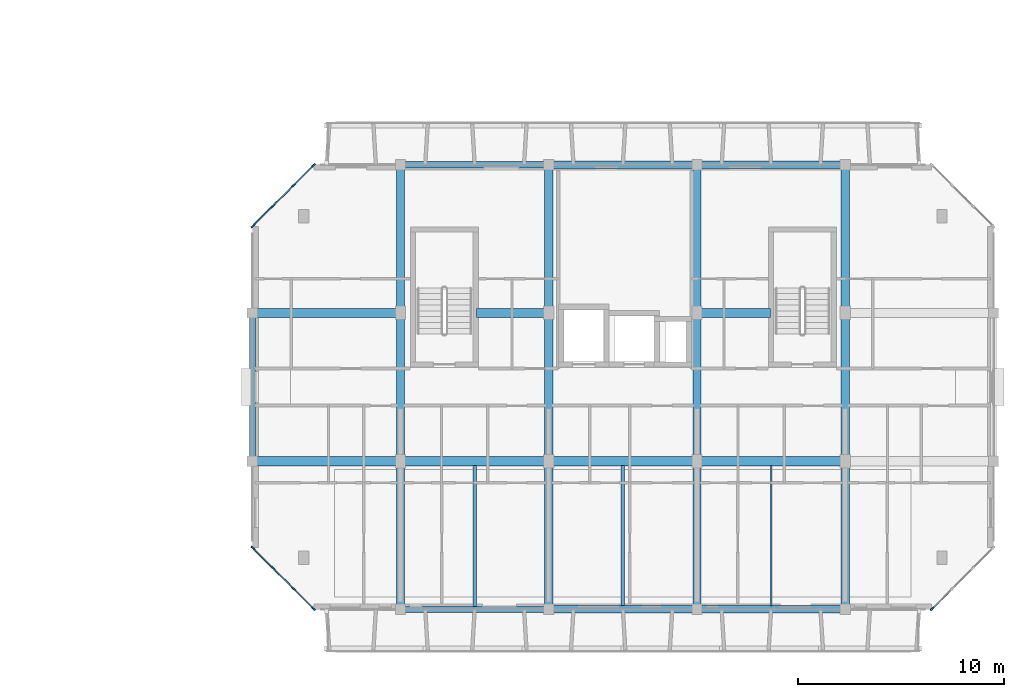
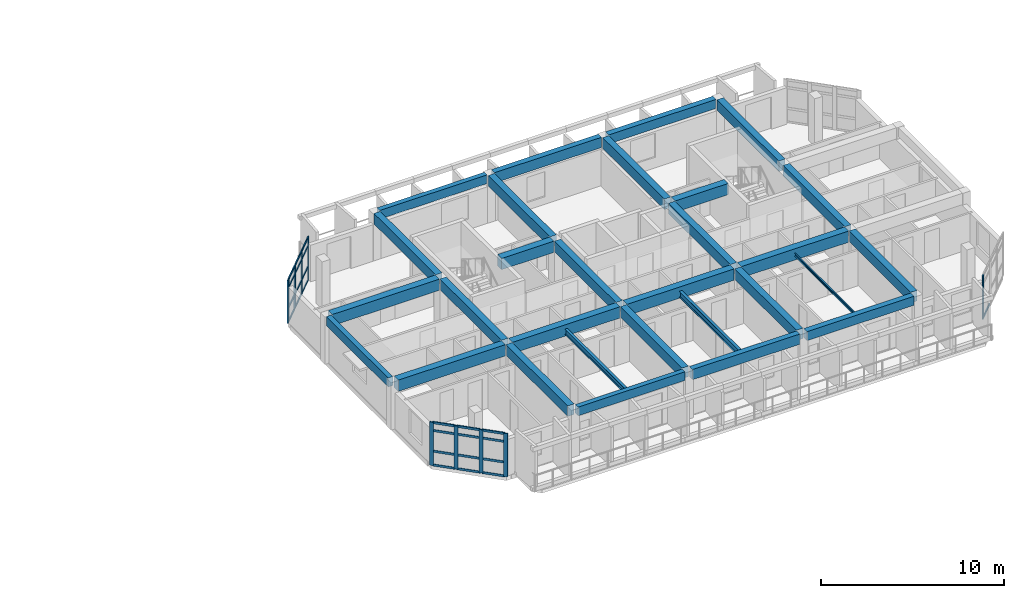
# One storey, part 7 of 45: 34 members, 29 beams, 3 elements without a shape of their own.
"""IFC4 building model written with IfcOpenShell, lengths in metres."""

from ifc_helpers import new_model, si_unit, direction, frame, origin, origin_2d, place, context, subcontext, project, spatial, rectangle, i_section, u_section, extrude, material, layer, layer_set, material_profile, profile_set, type_object, element, aggregate, save


model = new_model("IFC4")

# Units and contexts
model_context = context("Model", 3, precision=1e-05, world=origin(), true_north=direction((0.0, 1.0)))
body_context = subcontext(model_context, "Body", "Model", "MODEL_VIEW")
ifc_project = project(units=[si_unit("LENGTHUNIT", "METRE"), si_unit("AREAUNIT", "SQUARE_METRE"), si_unit("VOLUMEUNIT", "CUBIC_METRE"), si_unit("PLANEANGLEUNIT", "RADIAN"), si_unit("MASSUNIT", "GRAM", prefix="KILO")], contexts=[model_context])

# Site, building, storey
site_placement = place(None, origin())
site = spatial("IfcSite", under=ifc_project, at=site_placement, CompositionType="ELEMENT")
building_placement = place(site_placement, origin())
building = spatial("IfcBuilding", under=site, at=building_placement, Name="Ochrevale Crest", CompositionType="ELEMENT")
storey_placement = place(building_placement, frame((0.0, 0.0, 18.14990234375)))
storey = spatial("IfcBuildingStorey", under=building, at=storey_placement, Name="L05", CompositionType="ELEMENT", Elevation=18.14990234375)

# Beams
ifc_material_1 = material(Name="Precast concrete C50/60", Category="concrete")
ifc_material_profile_1 = material_profile(ifc_material_1, rectangle(XDim=0.39990234375, YDim=0.699951171875, at=origin_2d()), Name="PC 400x700")
ifc_profile_set_1 = profile_set([ifc_material_profile_1], Name="Precast concrete C50/60")
beam_type_1 = type_object("IfcBeamType", Name="BM-PC400x700", PredefinedType="BEAM", material=ifc_profile_set_1)
beam_1_placement = place(storey_placement, frame((136.800048828125, 14.6298828125, 2.800048828125), z_axis=(0.0, 1.0, 0.0), x_axis=(-1.0, 0.0, 0.0)))
element("IfcBeam", 1, at=beam_1_placement, inside=storey, type_object=beam_type_1, Name="Block C L05 N-S beam X=136.8", PredefinedType="BEAM", context=body_context, shape_type="SweptSolid", body=[
    extrude(rectangle(XDim=0.39990234375, YDim=0.699951171875, at=origin_2d()), origin(), (0.0, 0.0, 1.0), 6.740234375),
])
for number, where, z_axis, x_axis, name in (
    (2, (136.800048828125, 21.830078125, 2.800048828125), (0.0, 1.0, 0.0), (-1.0, 0.0, 0.0), "Block C L05 N-S beam X=136.8"),
    (3, (136.800048828125, 29.030029296875, 2.800048828125), (0.0, 1.0, 0.0), (-1.0, 0.0, 0.0), "Block C L05 N-S beam X=136.8"),
):
    element("IfcBeam", number, at=place(storey_placement, frame(where, z_axis=z_axis, x_axis=x_axis)), inside=storey, type_object=beam_type_1, Name=name, PredefinedType="BEAM", context=body_context, shape_type="SweptSolid", body=[
        extrude(rectangle(XDim=0.39990234375, YDim=0.699951171875, at=origin_2d()), origin(), (0.0, 0.0, 1.0), 6.739990234375),
    ])
beam_2_placement = place(storey_placement, frame((144.0, 14.6298828125, 2.800048828125), z_axis=(0.0, 1.0, 0.0), x_axis=(-1.0, 0.0, 0.0)))
element("IfcBeam", 4, at=beam_2_placement, inside=storey, type_object=beam_type_1, Name="Block C L05 N-S beam X=144.0", PredefinedType="BEAM", context=body_context, shape_type="SweptSolid", body=[
    extrude(rectangle(XDim=0.39990234375, YDim=0.699951171875, at=origin_2d()), origin(), (0.0, 0.0, 1.0), 6.740234375),
])
for number, where, z_axis, x_axis, name in (
    (5, (144.0, 21.830078125, 2.800048828125), (0.0, 1.0, 0.0), (-1.0, 0.0, 0.0), "Block C L05 N-S beam X=144.0"),
    (6, (144.0, 29.030029296875, 2.800048828125), (0.0, 1.0, 0.0), (-1.0, 0.0, 0.0), "Block C L05 N-S beam X=144.0"),
):
    element("IfcBeam", number, at=place(storey_placement, frame(where, z_axis=z_axis, x_axis=x_axis)), inside=storey, type_object=beam_type_1, Name=name, PredefinedType="BEAM", context=body_context, shape_type="SweptSolid", body=[
        extrude(rectangle(XDim=0.39990234375, YDim=0.699951171875, at=origin_2d()), origin(), (0.0, 0.0, 1.0), 6.739990234375),
    ])
beam_3_placement = place(storey_placement, frame((151.199951171875, 14.6298828125, 2.800048828125), z_axis=(0.0, 1.0, 0.0), x_axis=(-1.0, 0.0, 0.0)))
element("IfcBeam", 7, at=beam_3_placement, inside=storey, type_object=beam_type_1, Name="Block C L05 N-S beam X=151.2", PredefinedType="BEAM", context=body_context, shape_type="SweptSolid", body=[
    extrude(rectangle(XDim=0.39990234375, YDim=0.699951171875, at=origin_2d()), origin(), (0.0, 0.0, 1.0), 6.740234375),
])
for number, where, z_axis, x_axis, name in (
    (8, (151.199951171875, 21.830078125, 2.800048828125), (0.0, 1.0, 0.0), (-1.0, 0.0, 0.0), "Block C L05 N-S beam X=151.2"),
    (9, (151.199951171875, 29.030029296875, 2.800048828125), (0.0, 1.0, 0.0), (-1.0, 0.0, 0.0), "Block C L05 N-S beam X=151.2"),
):
    element("IfcBeam", number, at=place(storey_placement, frame(where, z_axis=z_axis, x_axis=x_axis)), inside=storey, type_object=beam_type_1, Name=name, PredefinedType="BEAM", context=body_context, shape_type="SweptSolid", body=[
        extrude(rectangle(XDim=0.39990234375, YDim=0.699951171875, at=origin_2d()), origin(), (0.0, 0.0, 1.0), 6.739990234375),
    ])
beam_4_placement = place(storey_placement, frame((158.39990234375, 14.6298828125, 2.800048828125), z_axis=(0.0, 1.0, 0.0), x_axis=(-1.0, 0.0, 0.0)))
element("IfcBeam", 10, at=beam_4_placement, inside=storey, type_object=beam_type_1, Name="Block C L05 N-S beam X=158.4", PredefinedType="BEAM", context=body_context, shape_type="SweptSolid", body=[
    extrude(rectangle(XDim=0.39990234375, YDim=0.699951171875, at=origin_2d()), origin(), (0.0, 0.0, 1.0), 6.740234375),
])
for number, where, z_axis, x_axis, name in (
    (11, (158.39990234375, 21.830078125, 2.800048828125), (0.0, 1.0, 0.0), (-1.0, 0.0, 0.0), "Block C L05 N-S beam X=158.4"),
    (12, (158.39990234375, 29.030029296875, 2.800048828125), (0.0, 1.0, 0.0), (-1.0, 0.0, 0.0), "Block C L05 N-S beam X=158.4"),
):
    element("IfcBeam", number, at=place(storey_placement, frame(where, z_axis=z_axis, x_axis=x_axis)), inside=storey, type_object=beam_type_1, Name=name, PredefinedType="BEAM", context=body_context, shape_type="SweptSolid", body=[
        extrude(rectangle(XDim=0.39990234375, YDim=0.699951171875, at=origin_2d()), origin(), (0.0, 0.0, 1.0), 6.739990234375),
    ])
ifc_material_2 = material(Name="Steel S355", Category="steel")
ifc_material_profile_2 = material_profile(ifc_material_2, u_section(Depth=0.199951171875, FlangeWidth=0.074951171875, WebThickness=0.006103515625, FlangeThickness=0.011962890625, FilletRadius=0.011962890625, at=origin_2d()), Name="200PFC")
ifc_profile_set_2 = profile_set([ifc_material_profile_2], Name="Steel S355")
beam_type_2 = type_object("IfcBeamType", Name="BM-PFC200", PredefinedType="JOIST", material=ifc_profile_set_2)
beam_5_placement = place(storey_placement, frame((154.800048828125, 14.56298828125, 2.775146484375), z_axis=(0.0, 1.0, 0.0), x_axis=(-1.0, 0.0, 0.0)))
element("IfcBeam", 13, at=beam_5_placement, inside=storey, type_object=beam_type_2, Name="Block C L05 composite plank trimmer beam 4", PredefinedType="JOIST", context=body_context, shape_type="SweptSolid", body=[
    extrude(u_section(Depth=0.199951171875, FlangeWidth=0.074951171875, WebThickness=0.006103515625, FlangeThickness=0.011962890625, FilletRadius=0.011962890625, at=origin_2d()), origin(), (0.0, 0.0, 1.0), 6.823974609375),
])
ifc_material_3 = material(Name="Concrete C50/60", Category="concrete")
ifc_material_profile_3 = material_profile(ifc_material_3, rectangle(XDim=0.449951171875, YDim=0.75, at=origin_2d()), Name="RC 450x750")
ifc_profile_set_3 = profile_set([ifc_material_profile_3], Name="Concrete C50/60")
beam_type_3 = type_object("IfcBeamType", Name="BM-PG450x750", PredefinedType="USERDEFINED", material=ifc_profile_set_3)
for number, where, z_axis, x_axis, name in (
    (14, (129.824951171875, 21.60009765625, 2.775146484375), (1.0, 0.0, 0.0), (0.0, 1.0, 0.0), "Block C L05 E-W beam Y=21.6"),
    (15, (137.02490234375, 21.60009765625, 2.775146484375), (1.0, 0.0, 0.0), (0.0, 1.0, 0.0), "Block C L05 E-W beam Y=21.6"),
    (16, (144.22509765625, 21.60009765625, 2.775146484375), (1.0, 0.0, 0.0), (0.0, 1.0, 0.0), "Block C L05 E-W beam Y=21.6"),
    (17, (151.425048828125, 21.60009765625, 2.775146484375), (1.0, 0.0, 0.0), (0.0, 1.0, 0.0), "Block C L05 E-W beam Y=21.6"),
    (18, (129.824951171875, 28.800048828125, 2.775146484375), (1.0, 0.0, 0.0), (0.0, 1.0, 0.0), "Block C L05 E-W beam Y=28.8"),
):
    element("IfcBeam", number, at=place(storey_placement, frame(where, z_axis=z_axis, x_axis=x_axis)), inside=storey, type_object=beam_type_3, Name=name, ObjectType="GIRDER", PredefinedType="USERDEFINED", context=body_context, shape_type="SweptSolid", body=[
        extrude(rectangle(XDim=0.449951171875, YDim=0.75, at=origin_2d()), origin(), (0.0, 0.0, 1.0), 6.75),
    ])
beam_6_placement = place(storey_placement, frame((140.489990234375, 28.800048828125, 2.775146484375), z_axis=(1.0, 0.0, 0.0), x_axis=(0.0, 1.0, 0.0)))
element("IfcBeam", 19, at=beam_6_placement, inside=storey, type_object=beam_type_3, Name="Block C L05 E-W beam Y=28.8", ObjectType="GIRDER", PredefinedType="USERDEFINED", context=body_context, shape_type="SweptSolid", body=[
    extrude(rectangle(XDim=0.449951171875, YDim=0.75, at=origin_2d()), origin(), (0.0, 0.0, 1.0), 3.284912109375),
])
beam_7_placement = place(storey_placement, frame((151.425048828125, 28.800048828125, 2.775146484375), z_axis=(1.0, 0.0, 0.0), x_axis=(0.0, 1.0, 0.0)))
element("IfcBeam", 20, at=beam_7_placement, inside=storey, type_object=beam_type_3, Name="Block C L05 E-W beam Y=28.8", ObjectType="GIRDER", PredefinedType="USERDEFINED", context=body_context, shape_type="SweptSolid", body=[
    extrude(rectangle(XDim=0.449951171875, YDim=0.75, at=origin_2d()), origin(), (0.0, 0.0, 1.0), 3.3349609375),
])
ifc_material_4 = material(Name="Precast concrete C40/50", Category="concrete")
ifc_material_profile_4 = material_profile(ifc_material_4, rectangle(XDim=0.300048828125, YDim=0.580078125, at=origin_2d()), Name="PC 300x580")
ifc_profile_set_4 = profile_set([ifc_material_profile_4], Name="Precast concrete C40/50")
beam_type_4 = type_object("IfcBeamType", Name="BM-SP300x580", PredefinedType="SPANDREL", material=ifc_profile_set_4)
for number, where, z_axis, x_axis, name in (
    (21, (137.02490234375, 14.39990234375, 2.860107421875), (1.0, 0.0, 0.0), (0.0, 1.0, 0.0), "Block C L05 E-W beam Y=14.4"),
    (22, (137.02490234375, 36.0, 2.860107421875), (1.0, 0.0, 0.0), (0.0, 1.0, 0.0), "Block C L05 E-W beam Y=36.0"),
):
    element("IfcBeam", number, at=place(storey_placement, frame(where, z_axis=z_axis, x_axis=x_axis)), inside=storey, type_object=beam_type_4, Name=name, PredefinedType="SPANDREL", context=body_context, shape_type="SweptSolid", body=[
        extrude(rectangle(XDim=0.300048828125, YDim=0.580078125, at=origin_2d()), origin(), (0.0, 0.0, 1.0), 6.75),
    ])
ifc_material_profile_5 = material_profile(ifc_material_4, rectangle(XDim=0.300048828125, YDim=0.60009765625, at=origin_2d()), Name="PC 300x600")
ifc_profile_set_5 = profile_set([ifc_material_profile_5], Name="Precast concrete C40/50")
beam_type_5 = type_object("IfcBeamType", Name="BM-SP300x600", PredefinedType="SPANDREL", material=ifc_profile_set_5)
beam_8_placement = place(storey_placement, frame((129.60009765625, 21.830078125, 2.85009765625), z_axis=(0.0, 1.0, 0.0), x_axis=(-1.0, 0.0, 0.0)))
element("IfcBeam", 23, at=beam_8_placement, inside=storey, type_object=beam_type_5, Name="Block C L05 N-S beam X=129.6", PredefinedType="SPANDREL", context=body_context, shape_type="SweptSolid", body=[
    extrude(rectangle(XDim=0.300048828125, YDim=0.60009765625, at=origin_2d()), origin(), (0.0, 0.0, 1.0), 6.739990234375),
])
ifc_material_profile_6 = material_profile(ifc_material_4, rectangle(XDim=0.35009765625, YDim=0.60009765625, at=origin_2d()), Name="PC 350x600")
ifc_profile_set_6 = profile_set([ifc_material_profile_6], Name="Precast concrete C40/50")
beam_type_6 = type_object("IfcBeamType", Name="BM-SP350x600", PredefinedType="SPANDREL", material=ifc_profile_set_6)
for number, where, z_axis, x_axis, name in (
    (24, (151.425048828125, 14.39990234375, 2.85009765625), (1.0, 0.0, 0.0), (0.0, 1.0, 0.0), "Block C L05 E-W beam Y=14.4"),
    (25, (151.425048828125, 36.0, 2.85009765625), (1.0, 0.0, 0.0), (0.0, 1.0, 0.0), "Block C L05 E-W beam Y=36.0"),
):
    element("IfcBeam", number, at=place(storey_placement, frame(where, z_axis=z_axis, x_axis=x_axis)), inside=storey, type_object=beam_type_6, Name=name, PredefinedType="SPANDREL", context=body_context, shape_type="SweptSolid", body=[
        extrude(rectangle(XDim=0.35009765625, YDim=0.60009765625, at=origin_2d()), origin(), (0.0, 0.0, 1.0), 6.75),
    ])
ifc_material_profile_7 = material_profile(ifc_material_4, rectangle(XDim=0.35009765625, YDim=0.679931640625, at=origin_2d()), Name="PC 350x680")
ifc_profile_set_7 = profile_set([ifc_material_profile_7], Name="Precast concrete C40/50")
beam_type_7 = type_object("IfcBeamType", Name="BM-SP350x680", PredefinedType="SPANDREL", material=ifc_profile_set_7)
for number, where, z_axis, x_axis, name in (
    (26, (144.22509765625, 14.39990234375, 2.81005859375), (1.0, 0.0, 0.0), (0.0, 1.0, 0.0), "Block C L05 E-W beam Y=14.4"),
    (27, (144.22509765625, 36.0, 2.81005859375), (1.0, 0.0, 0.0), (0.0, 1.0, 0.0), "Block C L05 E-W beam Y=36.0"),
):
    element("IfcBeam", number, at=place(storey_placement, frame(where, z_axis=z_axis, x_axis=x_axis)), inside=storey, type_object=beam_type_7, Name=name, PredefinedType="SPANDREL", context=body_context, shape_type="SweptSolid", body=[
        extrude(rectangle(XDim=0.35009765625, YDim=0.679931640625, at=origin_2d()), origin(), (0.0, 0.0, 1.0), 6.75),
    ])
ifc_material_profile_8 = material_profile(ifc_material_2, i_section(OverallWidth=0.172119140625, OverallDepth=0.358642578125, WebThickness=0.008056640625, FlangeThickness=0.012939453125, FilletRadius=0.011474609375, at=origin_2d()), Name="360UB56.7")
ifc_profile_set_8 = profile_set([ifc_material_profile_8], Name="Steel S355")
beam_type_8 = type_object("IfcBeamType", Name="BM-UB360B", PredefinedType="BEAM", material=ifc_profile_set_8)
beam_9_placement = place(storey_placement, frame((140.39990234375, 14.5380859375, 2.69580078125), z_axis=(0.0, 1.0, 0.0), x_axis=(-1.0, 0.0, 0.0)))
element("IfcBeam", 28, at=beam_9_placement, inside=storey, type_object=beam_type_8, Name="Block C L05 composite plank trimmer beam 2", PredefinedType="BEAM", context=body_context, shape_type="SweptSolid", body=[
    extrude(i_section(OverallWidth=0.172119140625, OverallDepth=0.358642578125, WebThickness=0.008056640625, FlangeThickness=0.012939453125, FilletRadius=0.011474609375, at=origin_2d()), origin(), (0.0, 0.0, 1.0), 6.848876953125),
])
ifc_material_profile_9 = material_profile(ifc_material_2, i_section(OverallWidth=0.177734375, OverallDepth=0.402587890625, WebThickness=0.007568359375, FlangeThickness=0.010986328125, FilletRadius=0.011474609375, at=origin_2d()), Name="410UB53.7")
ifc_profile_set_9 = profile_set([ifc_material_profile_9], Name="Steel S355")
beam_type_9 = type_object("IfcBeamType", Name="BM-UB410A", PredefinedType="BEAM", material=ifc_profile_set_9)
beam_10_placement = place(storey_placement, frame((147.60009765625, 14.56298828125, 2.673828125), z_axis=(0.0, 1.0, 0.0), x_axis=(-1.0, 0.0, 0.0)))
element("IfcBeam", 29, at=beam_10_placement, inside=storey, type_object=beam_type_9, Name="Block C L05 composite plank trimmer beam 3", PredefinedType="BEAM", context=body_context, shape_type="SweptSolid", body=[
    extrude(i_section(OverallWidth=0.177734375, OverallDepth=0.402587890625, WebThickness=0.007568359375, FlangeThickness=0.010986328125, FilletRadius=0.011474609375, at=origin_2d()), origin(), (0.0, 0.0, 1.0), 6.823974609375),
])

# Curtain wall, member
ifc_material_5 = material(Name="Anodised aluminium 6063-T5", Category="aluminium")
ifc_layer_1 = layer(ifc_material_5, 0.14990234375)
ifc_layer_set_1 = layer_set([ifc_layer_1], Name="Anodised aluminium 6063-T5")
curtain_wall_type_1 = type_object("IfcCurtainWallType", Name="CW-WG-320x285", PredefinedType="NOTDEFINED", material=ifc_layer_set_1)
curtain_wall_1_placement = place(storey_placement, origin())
curtain_wall_1 = element("IfcCurtainWall", 30, at=curtain_wall_1_placement, inside=storey, type_object=curtain_wall_type_1, Name="Block C L05 chamfered corner wintergarden curtain wall 2", PredefinedType="NOTDEFINED")
ifc_material_profile_10 = material_profile(ifc_material_5, rectangle(XDim=0.074951171875, YDim=0.219970703125, at=origin_2d()), Name="ALU 75x220")
ifc_profile_set_10 = profile_set([ifc_material_profile_10], Name="Anodised aluminium 6063-T5")
member_type_1 = type_object("IfcMemberType", Name="CW-MUL-75x220", PredefinedType="MULLION", material=ifc_profile_set_10)
member_1_placement = place(storey_placement, frame((162.62646484375, 14.426513671875, 0.0), z_axis=(0.0, 0.0, 1.0), x_axis=(-0.707106781187, 0.707106781187, 0.0)))
member_1 = element("IfcMember", 31, at=member_1_placement, type_object=member_type_1, Name="CW17 mullion 1", PredefinedType="MULLION", context=body_context, shape_type="SweptSolid", body=[
    extrude(rectangle(XDim=0.074951171875, YDim=0.219970703125, at=origin_2d()), origin(), (0.0, 0.0, 1.0), 2.875),
])

# Curtain wall, members
ifc_layer_2 = layer(ifc_material_5, 0.14990234375)
ifc_layer_set_2 = layer_set([ifc_layer_2], Name="Anodised aluminium 6063-T5")
curtain_wall_type_2 = type_object("IfcCurtainWallType", Name="CW-WG-280x285", PredefinedType="NOTDEFINED", material=ifc_layer_set_2)
curtain_wall_2_placement = place(storey_placement, origin())
curtain_wall_2 = element("IfcCurtainWall", 32, at=curtain_wall_2_placement, inside=storey, type_object=curtain_wall_type_2, Name="Block C L05 chamfered corner wintergarden curtain wall 6", PredefinedType="NOTDEFINED")
member_2_placement = place(storey_placement, frame((132.573486328125, 35.973388671875, 0.0), z_axis=(0.0, 0.0, 1.0), x_axis=(0.707106781187, -0.707106781187, 0.0)))
member_2 = element("IfcMember", 33, at=member_2_placement, type_object=member_type_1, Name="CW16 mullion 1", PredefinedType="MULLION", context=body_context, shape_type="SweptSolid", body=[
    extrude(rectangle(XDim=0.074951171875, YDim=0.219970703125, at=origin_2d()), origin(), (0.0, 0.0, 1.0), 2.875),
])
member_3_placement = place(storey_placement, frame((131.60009765625, 35.0, 0.0), z_axis=(0.0, 0.0, 1.0), x_axis=(0.707106781187, -0.707106781187, 0.0)))
member_3 = element("IfcMember", 34, at=member_3_placement, type_object=member_type_1, Name="CW16 mullion 2", PredefinedType="MULLION", context=body_context, shape_type="SweptSolid", body=[
    extrude(rectangle(XDim=0.074951171875, YDim=0.219970703125, at=origin_2d()), origin(), (0.0, 0.0, 1.0), 2.875),
])
member_4_placement = place(storey_placement, frame((130.60009765625, 34.0, 0.0), z_axis=(0.0, 0.0, 1.0), x_axis=(0.707106781187, -0.707106781187, 0.0)))
member_4 = element("IfcMember", 35, at=member_4_placement, type_object=member_type_1, Name="CW16 mullion 3", PredefinedType="MULLION", context=body_context, shape_type="SweptSolid", body=[
    extrude(rectangle(XDim=0.074951171875, YDim=0.219970703125, at=origin_2d()), origin(), (0.0, 0.0, 1.0), 2.875),
])
member_5_placement = place(storey_placement, frame((129.62646484375, 33.026611328125, 0.0), z_axis=(0.0, 0.0, 1.0), x_axis=(0.707106781187, -0.707106781187, 0.0)))
member_5 = element("IfcMember", 36, at=member_5_placement, type_object=member_type_1, Name="CW16 mullion 4", PredefinedType="MULLION", context=body_context, shape_type="SweptSolid", body=[
    extrude(rectangle(XDim=0.074951171875, YDim=0.219970703125, at=origin_2d()), origin(), (0.0, 0.0, 1.0), 2.875),
])

ifc_layer_3 = layer(ifc_material_5, 0.14990234375)
ifc_layer_set_3 = layer_set([ifc_layer_3], Name="Anodised aluminium 6063-T5")
curtain_wall_type_3 = type_object("IfcCurtainWallType", Name="CW-WG-360x285", PredefinedType="NOTDEFINED", material=ifc_layer_set_3)
curtain_wall_3_placement = place(storey_placement, origin())
curtain_wall_3 = element("IfcCurtainWall", 37, at=curtain_wall_3_placement, inside=storey, type_object=curtain_wall_type_3, Name="Block C L05 chamfered corner wintergarden curtain wall 8", PredefinedType="NOTDEFINED")
member_6_placement = place(storey_placement, frame((129.62646484375, 17.37353515625, 0.0), z_axis=(0.0, 0.0, 1.0), x_axis=(0.707106781187, 0.707106781187, 0.0)))
member_6 = element("IfcMember", 38, at=member_6_placement, type_object=member_type_1, Name="CW18 mullion 1", PredefinedType="MULLION", context=body_context, shape_type="SweptSolid", body=[
    extrude(rectangle(XDim=0.074951171875, YDim=0.219970703125, at=origin_2d()), origin(), (0.0, 0.0, 1.0), 2.875),
])
member_7_placement = place(storey_placement, frame((130.60009765625, 16.39990234375, 0.0), z_axis=(0.0, 0.0, 1.0), x_axis=(0.707106781187, 0.707106781187, 0.0)))
member_7 = element("IfcMember", 39, at=member_7_placement, type_object=member_type_1, Name="CW18 mullion 2", PredefinedType="MULLION", context=body_context, shape_type="SweptSolid", body=[
    extrude(rectangle(XDim=0.074951171875, YDim=0.219970703125, at=origin_2d()), origin(), (0.0, 0.0, 1.0), 2.875),
])
member_8_placement = place(storey_placement, frame((131.60009765625, 15.39990234375, 0.0), z_axis=(0.0, 0.0, 1.0), x_axis=(0.707106781187, 0.707106781187, 0.0)))
member_8 = element("IfcMember", 40, at=member_8_placement, type_object=member_type_1, Name="CW18 mullion 3", PredefinedType="MULLION", context=body_context, shape_type="SweptSolid", body=[
    extrude(rectangle(XDim=0.074951171875, YDim=0.219970703125, at=origin_2d()), origin(), (0.0, 0.0, 1.0), 2.875),
])
member_9_placement = place(storey_placement, frame((132.573486328125, 14.426513671875, 0.0), z_axis=(0.0, 0.0, 1.0), x_axis=(0.707106781187, 0.707106781187, 0.0)))
member_9 = element("IfcMember", 41, at=member_9_placement, type_object=member_type_1, Name="CW18 mullion 4", PredefinedType="MULLION", context=body_context, shape_type="SweptSolid", body=[
    extrude(rectangle(XDim=0.074951171875, YDim=0.219970703125, at=origin_2d()), origin(), (0.0, 0.0, 1.0), 2.875),
])

# Member
ifc_material_profile_11 = material_profile(ifc_material_5, rectangle(XDim=0.06005859375, YDim=0.14990234375, at=origin_2d()), Name="ALU 60x150")
ifc_profile_set_11 = profile_set([ifc_material_profile_11], Name="Anodised aluminium 6063-T5")
member_type_2 = type_object("IfcMemberType", Name="CW-TRN-60x150", PredefinedType="USERDEFINED", material=ifc_profile_set_11)
member_10_placement = place(storey_placement, frame((162.653076171875, 14.453125, 0.030029296875), z_axis=(0.707106781187, 0.707106781187, 0.0), x_axis=(-0.707106781187, 0.707106781187, 0.0)))
member_10 = element("IfcMember", 42, at=member_10_placement, type_object=member_type_2, Name="CW17 transom 1.1", ObjectType="TRANSOM", PredefinedType="USERDEFINED", context=body_context, shape_type="SweptSolid", body=[
    extrude(rectangle(XDim=0.06005859375, YDim=0.14990234375, at=origin_2d()), origin(), (0.0, 0.0, 1.0), 1.3017578125),
])

aggregate(curtain_wall_1, [member_1, member_10])

member_11_placement = place(storey_placement, frame((132.546875, 35.947021484375, 0.030029296875), z_axis=(-0.707106781187, -0.707106781187, 0.0), x_axis=(0.707106781187, -0.707106781187, 0.0)))
member_11 = element("IfcMember", 43, at=member_11_placement, type_object=member_type_2, Name="CW16 transom 1.1", ObjectType="TRANSOM", PredefinedType="USERDEFINED", context=body_context, shape_type="SweptSolid", body=[
    extrude(rectangle(XDim=0.06005859375, YDim=0.14990234375, at=origin_2d()), origin(), (0.0, 0.0, 1.0), 1.3017578125),
])

member_12_placement = place(storey_placement, frame((132.546875, 35.947021484375, 0.9501953125), z_axis=(-0.707106781187, -0.707106781187, 0.0), x_axis=(0.707106781187, -0.707106781187, 0.0)))
member_12 = element("IfcMember", 44, at=member_12_placement, type_object=member_type_2, Name="CW16 transom 1.2", ObjectType="TRANSOM", PredefinedType="USERDEFINED", context=body_context, shape_type="SweptSolid", body=[
    extrude(rectangle(XDim=0.06005859375, YDim=0.14990234375, at=origin_2d()), origin(), (0.0, 0.0, 1.0), 1.3017578125),
])

member_13_placement = place(storey_placement, frame((132.546875, 35.947021484375, 2.3251953125), z_axis=(-0.707106781187, -0.707106781187, 0.0), x_axis=(0.707106781187, -0.707106781187, 0.0)))
member_13 = element("IfcMember", 45, at=member_13_placement, type_object=member_type_2, Name="CW16 transom 1.3", ObjectType="TRANSOM", PredefinedType="USERDEFINED", context=body_context, shape_type="SweptSolid", body=[
    extrude(rectangle(XDim=0.06005859375, YDim=0.14990234375, at=origin_2d()), origin(), (0.0, 0.0, 1.0), 1.3017578125),
])

member_14_placement = place(storey_placement, frame((132.546875, 35.947021484375, 2.84521484375), z_axis=(-0.707106781187, -0.707106781187, 0.0), x_axis=(0.707106781187, -0.707106781187, 0.0)))
member_14 = element("IfcMember", 46, at=member_14_placement, type_object=member_type_2, Name="CW16 transom 1.4", ObjectType="TRANSOM", PredefinedType="USERDEFINED", context=body_context, shape_type="SweptSolid", body=[
    extrude(rectangle(XDim=0.06005859375, YDim=0.14990234375, at=origin_2d()), origin(), (0.0, 0.0, 1.0), 1.3017578125),
])

member_15_placement = place(storey_placement, frame((131.573486328125, 34.973388671875, 0.030029296875), z_axis=(-0.707197932559, -0.707015618062, 0.0), x_axis=(0.707015618062, -0.707197932559, 0.0)))
member_15 = element("IfcMember", 47, at=member_15_placement, type_object=member_type_2, Name="CW16 transom 2.1", ObjectType="TRANSOM", PredefinedType="USERDEFINED", context=body_context, shape_type="SweptSolid", body=[
    extrude(rectangle(XDim=0.06005859375, YDim=0.14990234375, at=origin_2d()), origin(), (0.0, 0.0, 1.0), 1.339111328125),
])

member_16_placement = place(storey_placement, frame((131.573486328125, 34.973388671875, 0.9501953125), z_axis=(-0.707197932559, -0.707015618062, 0.0), x_axis=(0.707015618062, -0.707197932559, 0.0)))
member_16 = element("IfcMember", 48, at=member_16_placement, type_object=member_type_2, Name="CW16 transom 2.2", ObjectType="TRANSOM", PredefinedType="USERDEFINED", context=body_context, shape_type="SweptSolid", body=[
    extrude(rectangle(XDim=0.06005859375, YDim=0.14990234375, at=origin_2d()), origin(), (0.0, 0.0, 1.0), 1.339111328125),
])

member_17_placement = place(storey_placement, frame((131.573486328125, 34.973388671875, 2.3251953125), z_axis=(-0.707197932559, -0.707015618062, 0.0), x_axis=(0.707015618062, -0.707197932559, 0.0)))
member_17 = element("IfcMember", 49, at=member_17_placement, type_object=member_type_2, Name="CW16 transom 2.3", ObjectType="TRANSOM", PredefinedType="USERDEFINED", context=body_context, shape_type="SweptSolid", body=[
    extrude(rectangle(XDim=0.06005859375, YDim=0.14990234375, at=origin_2d()), origin(), (0.0, 0.0, 1.0), 1.339111328125),
])

member_18_placement = place(storey_placement, frame((131.573486328125, 34.973388671875, 2.84521484375), z_axis=(-0.707197932559, -0.707015618062, 0.0), x_axis=(0.707015618062, -0.707197932559, 0.0)))
member_18 = element("IfcMember", 50, at=member_18_placement, type_object=member_type_2, Name="CW16 transom 2.4", ObjectType="TRANSOM", PredefinedType="USERDEFINED", context=body_context, shape_type="SweptSolid", body=[
    extrude(rectangle(XDim=0.06005859375, YDim=0.14990234375, at=origin_2d()), origin(), (0.0, 0.0, 1.0), 1.339111328125),
])

member_19_placement = place(storey_placement, frame((130.573486328125, 33.973388671875, 0.030029296875), z_axis=(-0.707106781187, -0.707106781187, 0.0), x_axis=(0.707106781187, -0.707106781187, 0.0)))
member_19 = element("IfcMember", 51, at=member_19_placement, type_object=member_type_2, Name="CW16 transom 3.1", ObjectType="TRANSOM", PredefinedType="USERDEFINED", context=body_context, shape_type="SweptSolid", body=[
    extrude(rectangle(XDim=0.06005859375, YDim=0.14990234375, at=origin_2d()), origin(), (0.0, 0.0, 1.0), 1.3017578125),
])

member_20_placement = place(storey_placement, frame((130.573486328125, 33.973388671875, 0.9501953125), z_axis=(-0.707106781187, -0.707106781187, 0.0), x_axis=(0.707106781187, -0.707106781187, 0.0)))
member_20 = element("IfcMember", 52, at=member_20_placement, type_object=member_type_2, Name="CW16 transom 3.2", ObjectType="TRANSOM", PredefinedType="USERDEFINED", context=body_context, shape_type="SweptSolid", body=[
    extrude(rectangle(XDim=0.06005859375, YDim=0.14990234375, at=origin_2d()), origin(), (0.0, 0.0, 1.0), 1.3017578125),
])

member_21_placement = place(storey_placement, frame((130.573486328125, 33.973388671875, 2.3251953125), z_axis=(-0.707106781187, -0.707106781187, 0.0), x_axis=(0.707106781187, -0.707106781187, 0.0)))
member_21 = element("IfcMember", 53, at=member_21_placement, type_object=member_type_2, Name="CW16 transom 3.3", ObjectType="TRANSOM", PredefinedType="USERDEFINED", context=body_context, shape_type="SweptSolid", body=[
    extrude(rectangle(XDim=0.06005859375, YDim=0.14990234375, at=origin_2d()), origin(), (0.0, 0.0, 1.0), 1.3017578125),
])

member_22_placement = place(storey_placement, frame((130.573486328125, 33.973388671875, 2.84521484375), z_axis=(-0.707106781187, -0.707106781187, 0.0), x_axis=(0.707106781187, -0.707106781187, 0.0)))
member_22 = element("IfcMember", 54, at=member_22_placement, type_object=member_type_2, Name="CW16 transom 3.4", ObjectType="TRANSOM", PredefinedType="USERDEFINED", context=body_context, shape_type="SweptSolid", body=[
    extrude(rectangle(XDim=0.06005859375, YDim=0.14990234375, at=origin_2d()), origin(), (0.0, 0.0, 1.0), 1.3017578125),
])

aggregate(curtain_wall_2, [member_2, member_3, member_4, member_5, member_11, member_12, member_13, member_14, member_15, member_16, member_17, member_18, member_19, member_20, member_21, member_22])

member_23_placement = place(storey_placement, frame((129.653076171875, 17.346923828125, 0.030029296875), z_axis=(0.707106781187, -0.707106781187, 0.0), x_axis=(0.707106781187, 0.707106781187, 0.0)))
member_23 = element("IfcMember", 55, at=member_23_placement, type_object=member_type_2, Name="CW18 transom 1.1", ObjectType="TRANSOM", PredefinedType="USERDEFINED", context=body_context, shape_type="SweptSolid", body=[
    extrude(rectangle(XDim=0.06005859375, YDim=0.14990234375, at=origin_2d()), origin(), (0.0, 0.0, 1.0), 1.3017578125),
])

member_24_placement = place(storey_placement, frame((129.653076171875, 17.346923828125, 0.9501953125), z_axis=(0.707106781187, -0.707106781187, 0.0), x_axis=(0.707106781187, 0.707106781187, 0.0)))
member_24 = element("IfcMember", 56, at=member_24_placement, type_object=member_type_2, Name="CW18 transom 1.2", ObjectType="TRANSOM", PredefinedType="USERDEFINED", context=body_context, shape_type="SweptSolid", body=[
    extrude(rectangle(XDim=0.06005859375, YDim=0.14990234375, at=origin_2d()), origin(), (0.0, 0.0, 1.0), 1.3017578125),
])

member_25_placement = place(storey_placement, frame((129.653076171875, 17.346923828125, 2.3251953125), z_axis=(0.707106781187, -0.707106781187, 0.0), x_axis=(0.707106781187, 0.707106781187, 0.0)))
member_25 = element("IfcMember", 57, at=member_25_placement, type_object=member_type_2, Name="CW18 transom 1.3", ObjectType="TRANSOM", PredefinedType="USERDEFINED", context=body_context, shape_type="SweptSolid", body=[
    extrude(rectangle(XDim=0.06005859375, YDim=0.14990234375, at=origin_2d()), origin(), (0.0, 0.0, 1.0), 1.3017578125),
])

member_26_placement = place(storey_placement, frame((129.653076171875, 17.346923828125, 2.84521484375), z_axis=(0.707106781187, -0.707106781187, 0.0), x_axis=(0.707106781187, 0.707106781187, 0.0)))
member_26 = element("IfcMember", 58, at=member_26_placement, type_object=member_type_2, Name="CW18 transom 1.4", ObjectType="TRANSOM", PredefinedType="USERDEFINED", context=body_context, shape_type="SweptSolid", body=[
    extrude(rectangle(XDim=0.06005859375, YDim=0.14990234375, at=origin_2d()), origin(), (0.0, 0.0, 1.0), 1.3017578125),
])

member_27_placement = place(storey_placement, frame((130.62646484375, 16.37353515625, 0.030029296875), z_axis=(0.707106781187, -0.707106781187, 0.0), x_axis=(0.707106781187, 0.707106781187, 0.0)))
member_27 = element("IfcMember", 59, at=member_27_placement, type_object=member_type_2, Name="CW18 transom 2.1", ObjectType="TRANSOM", PredefinedType="USERDEFINED", context=body_context, shape_type="SweptSolid", body=[
    extrude(rectangle(XDim=0.06005859375, YDim=0.14990234375, at=origin_2d()), origin(), (0.0, 0.0, 1.0), 1.33935546875),
])

member_28_placement = place(storey_placement, frame((130.62646484375, 16.37353515625, 0.9501953125), z_axis=(0.707106781187, -0.707106781187, 0.0), x_axis=(0.707106781187, 0.707106781187, 0.0)))
member_28 = element("IfcMember", 60, at=member_28_placement, type_object=member_type_2, Name="CW18 transom 2.2", ObjectType="TRANSOM", PredefinedType="USERDEFINED", context=body_context, shape_type="SweptSolid", body=[
    extrude(rectangle(XDim=0.06005859375, YDim=0.14990234375, at=origin_2d()), origin(), (0.0, 0.0, 1.0), 1.33935546875),
])

member_29_placement = place(storey_placement, frame((130.62646484375, 16.37353515625, 2.3251953125), z_axis=(0.707106781187, -0.707106781187, 0.0), x_axis=(0.707106781187, 0.707106781187, 0.0)))
member_29 = element("IfcMember", 61, at=member_29_placement, type_object=member_type_2, Name="CW18 transom 2.3", ObjectType="TRANSOM", PredefinedType="USERDEFINED", context=body_context, shape_type="SweptSolid", body=[
    extrude(rectangle(XDim=0.06005859375, YDim=0.14990234375, at=origin_2d()), origin(), (0.0, 0.0, 1.0), 1.33935546875),
])

member_30_placement = place(storey_placement, frame((130.62646484375, 16.37353515625, 2.84521484375), z_axis=(0.707106781187, -0.707106781187, 0.0), x_axis=(0.707106781187, 0.707106781187, 0.0)))
member_30 = element("IfcMember", 62, at=member_30_placement, type_object=member_type_2, Name="CW18 transom 2.4", ObjectType="TRANSOM", PredefinedType="USERDEFINED", context=body_context, shape_type="SweptSolid", body=[
    extrude(rectangle(XDim=0.06005859375, YDim=0.14990234375, at=origin_2d()), origin(), (0.0, 0.0, 1.0), 1.33935546875),
])

member_31_placement = place(storey_placement, frame((131.62646484375, 15.37353515625, 0.030029296875), z_axis=(0.707106781187, -0.707106781187, 0.0), x_axis=(0.707106781187, 0.707106781187, 0.0)))
member_31 = element("IfcMember", 63, at=member_31_placement, type_object=member_type_2, Name="CW18 transom 3.1", ObjectType="TRANSOM", PredefinedType="USERDEFINED", context=body_context, shape_type="SweptSolid", body=[
    extrude(rectangle(XDim=0.06005859375, YDim=0.14990234375, at=origin_2d()), origin(), (0.0, 0.0, 1.0), 1.3017578125),
])

member_32_placement = place(storey_placement, frame((131.62646484375, 15.37353515625, 0.9501953125), z_axis=(0.707106781187, -0.707106781187, 0.0), x_axis=(0.707106781187, 0.707106781187, 0.0)))
member_32 = element("IfcMember", 64, at=member_32_placement, type_object=member_type_2, Name="CW18 transom 3.2", ObjectType="TRANSOM", PredefinedType="USERDEFINED", context=body_context, shape_type="SweptSolid", body=[
    extrude(rectangle(XDim=0.06005859375, YDim=0.14990234375, at=origin_2d()), origin(), (0.0, 0.0, 1.0), 1.3017578125),
])

member_33_placement = place(storey_placement, frame((131.62646484375, 15.37353515625, 2.3251953125), z_axis=(0.707106781187, -0.707106781187, 0.0), x_axis=(0.707106781187, 0.707106781187, 0.0)))
member_33 = element("IfcMember", 65, at=member_33_placement, type_object=member_type_2, Name="CW18 transom 3.3", ObjectType="TRANSOM", PredefinedType="USERDEFINED", context=body_context, shape_type="SweptSolid", body=[
    extrude(rectangle(XDim=0.06005859375, YDim=0.14990234375, at=origin_2d()), origin(), (0.0, 0.0, 1.0), 1.3017578125),
])

member_34_placement = place(storey_placement, frame((131.62646484375, 15.37353515625, 2.84521484375), z_axis=(0.707106781187, -0.707106781187, 0.0), x_axis=(0.707106781187, 0.707106781187, 0.0)))
member_34 = element("IfcMember", 66, at=member_34_placement, type_object=member_type_2, Name="CW18 transom 3.4", ObjectType="TRANSOM", PredefinedType="USERDEFINED", context=body_context, shape_type="SweptSolid", body=[
    extrude(rectangle(XDim=0.06005859375, YDim=0.14990234375, at=origin_2d()), origin(), (0.0, 0.0, 1.0), 1.3017578125),
])

aggregate(curtain_wall_3, [member_6, member_7, member_8, member_9, member_23, member_24, member_25, member_26, member_27, member_28, member_29, member_30, member_31, member_32, member_33, member_34])

save(model, "model.ifc")
